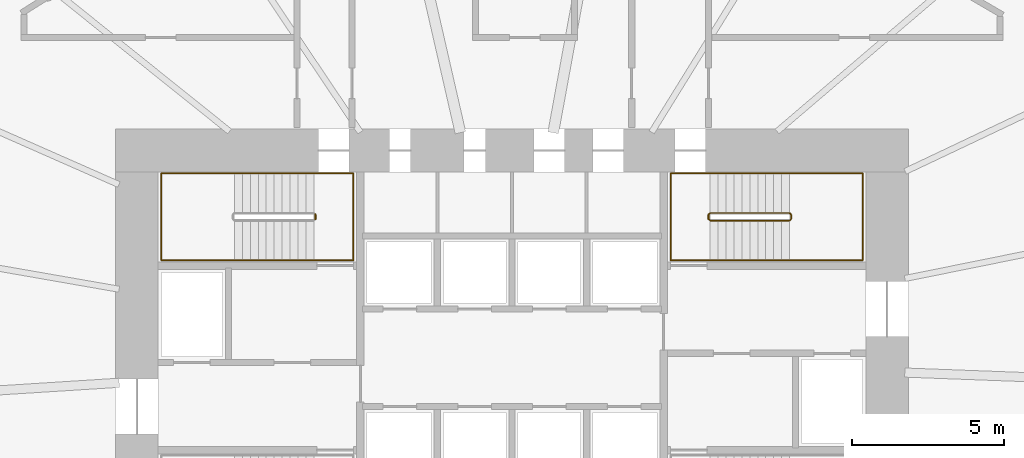
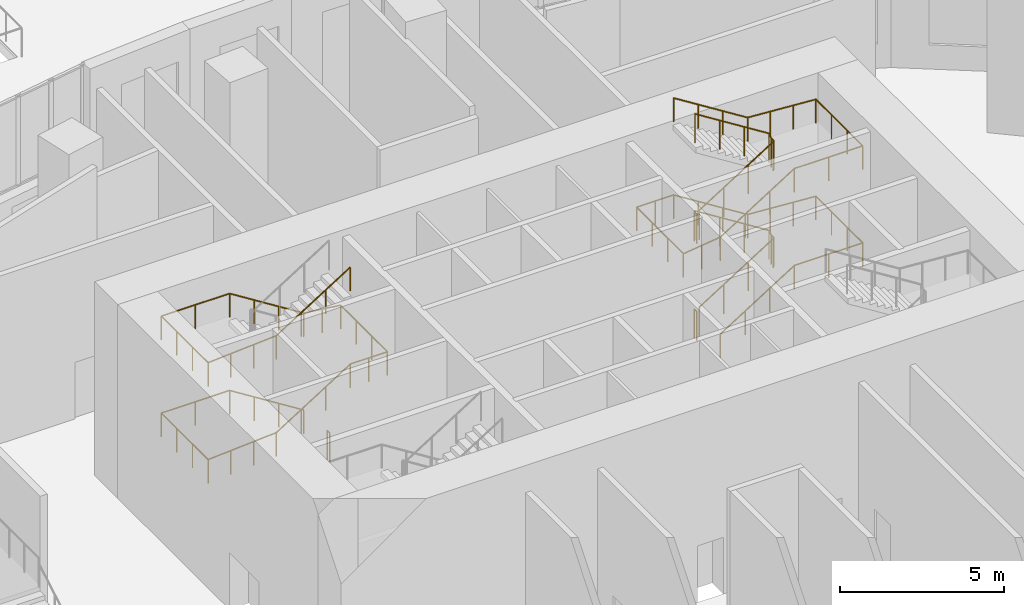
# One storey, part 25 of 27: 5 railings.
"""IFC4 building model written with IfcOpenShell, lengths in metres."""

import ifcopenshell
import ifcopenshell.guid

model = None  # the IFC model being written
_history = None  # IfcOwnerHistory: only IFC2X3 demands one
_inside = {}  # id of a spatial element -> (the spatial element, [elements in it])
_under = {}  # id of a project, library or spatial element -> (it, [spatial elements below it])
_declared = {}  # id of a project -> (the project, [libraries it declares])
_typed = {}  # id of a type object -> (the type object, [elements of that type])
_made_of = {}  # id of a material, layer set ... -> (it, [elements and type objects made of it])


def new_model(schema):
    """Start an empty IFC model of exactly this schema.

    Asked for "IFC4X3", IfcOpenShell would pick the latest addendum, in which some entities
    have other attributes; the version numbers below select the first issue.
    IFC2X3 requires an IfcOwnerHistory on every rooted entity: one is made here for all.
    """
    global model, _history
    if schema == "IFC4X3":
        model = ifcopenshell.file(schema_version=(4, 3, 0, 0))
    else:
        model = ifcopenshell.file(schema=schema)
    _inside.clear()
    _under.clear()
    _declared.clear()
    _typed.clear()
    _made_of.clear()
    _history = None
    if model.schema == "IFC2X3":
        org = make("IfcOrganization", Name="unknown")
        user = make(
            "IfcPersonAndOrganization",
            ThePerson=make("IfcPerson", FamilyName="unknown"),
            TheOrganization=org,
        )
        app = make(
            "IfcApplication",
            ApplicationDeveloper=org,
            Version="unknown",
            ApplicationFullName="unknown",
            ApplicationIdentifier="unknown",
        )
        _history = make(
            "IfcOwnerHistory",
            OwningUser=user,
            OwningApplication=app,
            ChangeAction="ADDED",
            CreationDate=0,
        )
    return model


def make(cls, **values):
    """One entity of the class cls with the attributes given. An attribute that is None is left unset."""
    return model.create_entity(
        cls, **{name: value for name, value in values.items() if value is not None}
    )


def rooted(cls, **values):
    """An entity with a GlobalId (a new one), such as an element, a storey or a relation."""
    return make(cls, GlobalId=ifcopenshell.guid.new(), OwnerHistory=_history, **values)


def si_unit(unit_type, name, prefix=None):
    """IfcSIUnit, for example si_unit("LENGTHUNIT", "METRE", prefix="MILLI")."""
    return make("IfcSIUnit", UnitType=unit_type, Prefix=prefix, Name=name)


def assignment(units):
    """IfcUnitAssignment: the units of a project."""
    return None if units is None else make("IfcUnitAssignment", Units=units)


def point(xyz):
    """IfcCartesianPoint."""
    return None if xyz is None else make("IfcCartesianPoint", Coordinates=xyz)


def direction(xyz):
    """IfcDirection."""
    return None if xyz is None else make("IfcDirection", DirectionRatios=xyz)


def frame(location, z_axis=None, x_axis=None):
    """IfcAxis2Placement3D, a coordinate frame: its origin and axes. An axis left out is left unset."""
    return make(
        "IfcAxis2Placement3D",
        Location=point(location),
        Axis=direction(z_axis),
        RefDirection=direction(x_axis),
    )


def frame_2d(location, x_axis=None):
    """IfcAxis2Placement2D, a coordinate frame in the plane: its origin and x axis."""
    return make(
        "IfcAxis2Placement2D", Location=point(location), RefDirection=direction(x_axis)
    )


def origin():
    """The frame at (0, 0, 0) with its axes left unset."""
    return frame((0.0, 0.0, 0.0))


def origin_2d():
    """The frame at (0, 0) in the plane with its x axis left unset."""
    return frame_2d((0.0, 0.0))


def place(relative_to, where):
    """IfcLocalPlacement: puts the frame where relative to a parent placement (None: the world)."""
    return make(
        "IfcLocalPlacement", PlacementRelTo=relative_to, RelativePlacement=where
    )


def context(
    kind, dimensions, precision=None, world=None, true_north=None, identifier=None
):
    """IfcGeometricRepresentationContext, for example the 3D "Model" context."""
    return make(
        "IfcGeometricRepresentationContext",
        ContextIdentifier=identifier,
        ContextType=kind,
        CoordinateSpaceDimension=dimensions,
        Precision=precision,
        WorldCoordinateSystem=world,
        TrueNorth=true_north,
    )


def subcontext(parent, identifier, kind, view, scale=None):
    """IfcGeometricRepresentationSubContext, for example "Body" below "Model"."""
    return make(
        "IfcGeometricRepresentationSubContext",
        ContextIdentifier=identifier,
        ContextType=kind,
        ParentContext=parent,
        TargetScale=scale,
        TargetView=view,
    )


def project(units=None, contexts=None):
    """IfcProject with its units and contexts."""
    return rooted(
        "IfcProject",
        Name="project",
        RepresentationContexts=contexts,
        UnitsInContext=assignment(units),
    )


def spatial(cls, under=None, at=None, **own):
    """A site, building, storey or space (cls), placed at a placement, below another one or the project."""
    s = rooted(cls, ObjectPlacement=at, **own)
    if under is not None:
        _under.setdefault(under.id(), (under, []))[1].append(s)
    return s


def profile(cls, at=None, kind="AREA", **sizes):
    """A parametric profile (cls). Its sizes go by their IFC names, for example OverallWidth=200.0."""
    return make(cls, ProfileType=kind, Position=at, **sizes)


def circle(**sizes):
    """IfcCircleProfileDef."""
    return profile("IfcCircleProfileDef", **sizes)


def extrude(swept, where, along, depth):
    """IfcExtrudedAreaSolid: the profile swept, set in the frame where, extruded along a direction by depth."""
    return make(
        "IfcExtrudedAreaSolid",
        SweptArea=swept,
        Position=where,
        ExtrudedDirection=direction(along),
        Depth=depth,
    )


def shape(context_of_items, identifier, shape_type, items):
    """IfcShapeRepresentation: the items that make up one representation, for example the "Body"."""
    return make(
        "IfcShapeRepresentation",
        ContextOfItems=context_of_items,
        RepresentationIdentifier=identifier,
        RepresentationType=shape_type,
        Items=items,
    )


def material(Name=None, Category=None):
    """IfcMaterial."""
    return make("IfcMaterial", Name=Name, Category=Category)


def made_of(thing, what):
    """Note that an element or type object is made of a material, layer set ...; save() writes the relation."""
    if what is not None:
        _made_of.setdefault(what.id(), (what, []))[1].append(thing)
    return thing


def type_object(cls, material=None, **own):
    """A type object (cls), such as IfcWallType, which elements share."""
    return made_of(rooted(cls, **own), material)


def element(
    cls,
    number,
    at=None,
    inside=None,
    cuts=None,
    type_object=None,
    material=None,
    context=None,
    identifier="Body",
    shape_type=None,
    held_by="IfcProductDefinitionShape",
    body=None,
    shapes=None,
    **own,
):
    """One element of the class cls, such as IfcWall. Its Tag is "e" and its number.

    at: its placement. inside: the storey or other place that contains it. cuts: it is an
    opening in that element (IfcRelVoidsElement). A single representation is given by context,
    identifier, shape_type and body (its items); several are given by shapes. held_by: the class
    of the entity that holds the representations. save() writes the other relations.
    """
    e = rooted(cls, Tag="e%d" % number, ObjectPlacement=at, **own)
    if body is not None:
        shapes = [shape(context, identifier, shape_type, body)]
    if shapes is not None:
        e.Representation = make(held_by, Representations=shapes)
    if inside is not None:
        _inside.setdefault(inside.id(), (inside, []))[1].append(e)
    if cuts is not None:
        rooted(
            "IfcRelVoidsElement", RelatingBuildingElement=cuts, RelatedOpeningElement=e
        )
    if type_object is not None:
        _typed.setdefault(type_object.id(), (type_object, []))[1].append(e)
    return made_of(e, material)


def aggregate(whole, parts):
    """IfcRelAggregates: a whole, such as a stair, and the parts it consists of."""
    return rooted("IfcRelAggregates", RelatingObject=whole, RelatedObjects=parts)


def save(model, path):
    """Write the relations noted so far, then the file.

    IfcRelAggregates (storeys below a building ...), IfcRelContainedInSpatialStructure (elements
    in a storey), IfcRelDefinesByType, IfcRelAssociatesMaterial and IfcRelDeclares: one each for
    every whole, place, type object, material and project.
    """
    for whole, parts in _under.values():
        aggregate(whole, parts)
    for where, things in _inside.values():
        rooted(
            "IfcRelContainedInSpatialStructure",
            RelatedElements=things,
            RelatingStructure=where,
        )
    for kind, things in _typed.values():
        rooted("IfcRelDefinesByType", RelatedObjects=things, RelatingType=kind)
    for what, things in _made_of.values():
        rooted("IfcRelAssociatesMaterial", RelatedObjects=things, RelatingMaterial=what)
    for by, libraries in _declared.values():
        rooted("IfcRelDeclares", RelatingContext=by, RelatedDefinitions=libraries)
    model.write(path)


model = new_model("IFC4")

# Units and contexts
model_context = context("Model", 3, precision=1e-05, world=origin(), true_north=direction((0.0, 1.0)))
body_context = subcontext(model_context, "Body", "Model", "MODEL_VIEW")
ifc_project = project(units=[si_unit("LENGTHUNIT", "METRE"), si_unit("AREAUNIT", "SQUARE_METRE"), si_unit("VOLUMEUNIT", "CUBIC_METRE"), si_unit("PLANEANGLEUNIT", "RADIAN"), si_unit("MASSUNIT", "GRAM", prefix="KILO")], contexts=[model_context])

# Site, building, storey
site_placement = place(None, origin())
site = spatial("IfcSite", under=ifc_project, at=site_placement, CompositionType="ELEMENT")
building_placement = place(site_placement, origin())
building = spatial("IfcBuilding", under=site, at=building_placement, Name="Rubra Terraces Tower", CompositionType="ELEMENT")
storey_placement = place(building_placement, origin())
storey = spatial("IfcBuildingStorey", under=building, at=storey_placement, Name="L00", CompositionType="ELEMENT", Elevation=0.0)

# Railings
ifc_material = material(Name="Stainless steel", Category="steel")
railing_type_1 = type_object("IfcRailingType", Name="Core stair guard 1100", PredefinedType="GUARDRAIL", material=ifc_material)
railing_1_placement = place(storey_placement, frame((-6.449951171875, 9.199951171875, 0.0)))
element("IfcRailing", 1, at=railing_1_placement, inside=storey, type_object=railing_type_1, Name="L00 stair S2 guard 2", PredefinedType="GUARDRAIL", context=body_context, shape_type="SweptSolid", body=[
    extrude(circle(Radius=0.02392578125, at=origin_2d()), frame((0.0, 0.0, 1.076171875), z_axis=(0.0, -1.0, 0.0), x_axis=(1.0, 0.0, 0.0)), (0.0, 0.0, 1.0), 0.14990234375),
    extrude(circle(Radius=0.02099609375, at=origin_2d()), origin(), (0.0, 0.0, 1.0), 1.052001953125),
    extrude(circle(Radius=0.02099609375, at=origin_2d()), frame((0.0, -0.14990234375, 0.0)), (0.0, 0.0, 1.0), 1.052001953125),
])
railing_2_placement = place(storey_placement, frame((6.5, 9.0, 0.16357421875)))
element("IfcRailing", 2, at=railing_2_placement, inside=storey, type_object=railing_type_1, Name="L00 stair S3 guard 1", PredefinedType="GUARDRAIL", context=body_context, shape_type="SweptSolid", body=[
    extrude(circle(Radius=0.02392578125, at=origin_2d()), frame((0.0, 0.0, 1.076171875), z_axis=(0.846324394277, 0.0, 0.532667832379), x_axis=(0.0, 1.0, 0.0)), (0.0, 0.0, 1.0), 3.072265625),
    extrude(circle(Radius=0.02392578125, at=origin_2d()), frame((2.60009765625, 0.0, 2.71240234375), z_axis=(0.705375805398, 0.708833529934, 0.0), x_axis=(-0.708833529934, 0.705375805398, 0.0)), (0.0, 0.0, 1.0), 0.070556640625),
    extrude(circle(Radius=0.02392578125, at=origin_2d()), frame((2.64990234375, 0.050048828125, 2.71240234375), z_axis=(0.0, 1.0, 0.0), x_axis=(-1.0, 0.0, 0.0)), (0.0, 0.0, 1.0), 0.14990234375),
    extrude(circle(Radius=0.02392578125, at=origin_2d()), frame((2.64990234375, 0.199951171875, 2.71240234375), z_axis=(-0.279546231943, 0.280916556609, 0.91811752648), x_axis=(-0.708833529934, -0.705375805398, 0.0)), (0.0, 0.0, 1.0), 0.17822265625),
    extrude(circle(Radius=0.02392578125, at=origin_2d()), frame((2.60009765625, 0.25, 2.8759765625), z_axis=(-0.846324394277, 0.0, 0.532667832379), x_axis=(0.0, -1.0, 0.0)), (0.0, 0.0, 1.0), 3.072265625),
    extrude(circle(Radius=0.02392578125, at=origin_2d()), frame((0.0, 0.25, 4.5126953125), z_axis=(-0.707106781187, -0.707106781187, 0.0), x_axis=(0.707106781187, -0.707106781187, 0.0)), (0.0, 0.0, 1.0), 0.07080078125),
    extrude(circle(Radius=0.02392578125, at=origin_2d()), frame((-0.050048828125, 0.199951171875, 4.5126953125), z_axis=(0.0, -1.0, 0.0), x_axis=(1.0, 0.0, 0.0)), (0.0, 0.0, 1.0), 0.14990234375),
    extrude(circle(Radius=0.02392578125, at=origin_2d()), frame((-0.050048828125, 0.050048828125, 4.5126953125), z_axis=(0.280808744504, -0.280808744504, 0.917765164963), x_axis=(0.707106781187, 0.707106781187, 0.0)), (0.0, 0.0, 1.0), 0.17822265625),
    extrude(circle(Radius=0.02392578125, at=origin_2d()), frame((0.0, 0.0, 4.67626953125), z_axis=(0.846360218416, 0.0, 0.532610909279), x_axis=(0.0, 1.0, 0.0)), (0.0, 0.0, 1.0), 3.072021484375),
    extrude(circle(Radius=0.02392578125, at=origin_2d()), frame((2.60009765625, 0.0, 6.3125), z_axis=(0.705375805398, 0.708833529934, 0.0), x_axis=(-0.708833529934, 0.705375805398, 0.0)), (0.0, 0.0, 1.0), 0.070556640625),
    extrude(circle(Radius=0.02392578125, at=origin_2d()), frame((2.64990234375, 0.050048828125, 6.3125), z_axis=(0.0, 1.0, 0.0), x_axis=(-1.0, 0.0, 0.0)), (0.0, 0.0, 1.0), 0.14990234375),
    extrude(circle(Radius=0.02392578125, at=origin_2d()), frame((2.64990234375, 0.199951171875, 6.3125), z_axis=(-0.279194930351, 0.280563532951, 0.91833234444), x_axis=(-0.708833529934, -0.705375805398, 0.0)), (0.0, 0.0, 1.0), 0.178466796875),
    extrude(circle(Radius=0.02392578125, at=origin_2d()), frame((2.60009765625, 0.25, 6.47607421875), z_axis=(-0.846360218416, 0.0, 0.532610909279), x_axis=(0.0, -1.0, 0.0)), (0.0, 0.0, 1.0), 3.072021484375),
    extrude(circle(Radius=0.02099609375, at=origin_2d()), origin(), (0.0, 0.0, 1.0), 1.052001953125),
    extrude(circle(Radius=0.02099609375, at=origin_2d()), frame((0.86669921875, 0.0, 0.54541015625)), (0.0, 0.0, 1.0), 1.052001953125),
    extrude(circle(Radius=0.02099609375, at=origin_2d()), frame((1.7333984375, 0.0, 1.091064453125)), (0.0, 0.0, 1.0), 1.052001953125),
    extrude(circle(Radius=0.02099609375, at=origin_2d()), frame((2.60009765625, 0.0, 1.636474609375)), (0.0, 0.0, 1.0), 1.052001953125),
    extrude(circle(Radius=0.02099609375, at=origin_2d()), frame((2.64990234375, 0.050048828125, 1.636474609375)), (0.0, 0.0, 1.0), 1.052001953125),
    extrude(circle(Radius=0.02099609375, at=origin_2d()), frame((2.64990234375, 0.199951171875, 1.636474609375)), (0.0, 0.0, 1.0), 1.052001953125),
    extrude(circle(Radius=0.02099609375, at=origin_2d()), frame((2.60009765625, 0.25, 1.800048828125)), (0.0, 0.0, 1.0), 1.052001953125),
    extrude(circle(Radius=0.02099609375, at=origin_2d()), frame((1.7333984375, 0.25, 2.345458984375)), (0.0, 0.0, 1.0), 1.052001953125),
    extrude(circle(Radius=0.02099609375, at=origin_2d()), frame((0.86669921875, 0.25, 2.89111328125)), (0.0, 0.0, 1.0), 1.052001953125),
    extrude(circle(Radius=0.02099609375, at=origin_2d()), frame((0.0, 0.25, 3.4365234375)), (0.0, 0.0, 1.0), 1.052001953125),
    extrude(circle(Radius=0.02099609375, at=origin_2d()), frame((-0.050048828125, 0.199951171875, 3.4365234375)), (0.0, 0.0, 1.0), 1.052001953125),
    extrude(circle(Radius=0.02099609375, at=origin_2d()), frame((-0.050048828125, 0.050048828125, 3.4365234375)), (0.0, 0.0, 1.0), 1.052001953125),
    extrude(circle(Radius=0.02099609375, at=origin_2d()), frame((0.0, 0.0, 3.60009765625)), (0.0, 0.0, 1.0), 1.052001953125),
    extrude(circle(Radius=0.02099609375, at=origin_2d()), frame((0.86669921875, 0.0, 4.1455078125)), (0.0, 0.0, 1.0), 1.052001953125),
    extrude(circle(Radius=0.02099609375, at=origin_2d()), frame((1.7333984375, 0.0, 4.69091796875)), (0.0, 0.0, 1.0), 1.052001953125),
    extrude(circle(Radius=0.02099609375, at=origin_2d()), frame((2.60009765625, 0.0, 5.236328125)), (0.0, 0.0, 1.0), 1.052001953125),
    extrude(circle(Radius=0.02099609375, at=origin_2d()), frame((2.64990234375, 0.050048828125, 5.236328125)), (0.0, 0.0, 1.0), 1.052001953125),
    extrude(circle(Radius=0.02099609375, at=origin_2d()), frame((2.64990234375, 0.199951171875, 5.236328125)), (0.0, 0.0, 1.0), 1.052001953125),
    extrude(circle(Radius=0.02099609375, at=origin_2d()), frame((2.60009765625, 0.25, 5.400146484375)), (0.0, 0.0, 1.0), 1.052001953125),
    extrude(circle(Radius=0.02099609375, at=origin_2d()), frame((1.7333984375, 0.25, 5.945556640625)), (0.0, 0.0, 1.0), 1.052001953125),
    extrude(circle(Radius=0.02099609375, at=origin_2d()), frame((0.86669921875, 0.25, 6.490966796875)), (0.0, 0.0, 1.0), 1.052001953125),
    extrude(circle(Radius=0.02099609375, at=origin_2d()), frame((0.0, 0.25, 7.036376953125)), (0.0, 0.0, 1.0), 1.052001953125),
])
railing_3_placement = place(storey_placement, frame((6.449951171875, 9.050048828125, 0.0)))
element("IfcRailing", 3, at=railing_3_placement, inside=storey, type_object=railing_type_1, Name="L00 stair S3 guard 2", PredefinedType="GUARDRAIL", context=body_context, shape_type="SweptSolid", body=[
    extrude(circle(Radius=0.02392578125, at=origin_2d()), frame((0.0, 0.0, 1.076171875), z_axis=(0.0, 1.0, 0.0), x_axis=(-1.0, 0.0, 0.0)), (0.0, 0.0, 1.0), 0.14990234375),
    extrude(circle(Radius=0.02099609375, at=origin_2d()), origin(), (0.0, 0.0, 1.0), 1.052001953125),
    extrude(circle(Radius=0.02099609375, at=origin_2d()), frame((0.0, 0.14990234375, 0.0)), (0.0, 0.0, 1.0), 1.052001953125),
])
railing_type_2 = type_object("IfcRailingType", Name="Core stair handrail 900", PredefinedType="HANDRAIL", material=ifc_material)
railing_4_placement = place(storey_placement, frame((-6.5, 10.550048828125, 0.16357421875)))
element("IfcRailing", 4, at=railing_4_placement, inside=storey, type_object=railing_type_2, Name="L00 stair S2 handrail 1", PredefinedType="HANDRAIL", context=body_context, shape_type="SweptSolid", body=[
    extrude(circle(Radius=0.02392578125, at=origin_2d()), frame((0.0, 0.0, 0.8759765625), z_axis=(-0.846324394277, 0.0, 0.532667832379), x_axis=(0.0, -1.0, 0.0)), (0.0, 0.0, 1.0), 3.072265625),
    extrude(circle(Radius=0.02392578125, at=origin_2d()), frame((-2.60009765625, 0.0, 2.51220703125), z_axis=(-1.0, 0.0, 0.0), x_axis=(0.0, -1.0, 0.0)), (0.0, 0.0, 1.0), 2.39990234375),
    extrude(circle(Radius=0.02392578125, at=origin_2d()), frame((-5.0, 0.0, 2.51220703125), z_axis=(0.0, -1.0, 0.0), x_axis=(1.0, 0.0, 0.0)), (0.0, 0.0, 1.0), 2.85009765625),
    extrude(circle(Radius=0.02392578125, at=origin_2d()), frame((-5.0, -2.85009765625, 2.51220703125), z_axis=(0.997685257876, 0.0, 0.068000928055), x_axis=(0.0, 1.0, 0.0)), (0.0, 0.0, 1.0), 2.405517578125),
    extrude(circle(Radius=0.02392578125, at=origin_2d()), frame((-2.60009765625, -2.85009765625, 2.67578125), z_axis=(0.846324394277, 0.0, 0.532667832379), x_axis=(0.0, 1.0, 0.0)), (0.0, 0.0, 1.0), 3.072265625),
    extrude(circle(Radius=0.02392578125, at=origin_2d()), frame((0.0, -2.85009765625, 4.3125), z_axis=(1.0, 0.0, 0.0), x_axis=(0.0, 1.0, 0.0)), (0.0, 0.0, 1.0), 1.300048828125),
    extrude(circle(Radius=0.02392578125, at=origin_2d()), frame((1.300048828125, -2.85009765625, 4.3125), z_axis=(0.0, 1.0, 0.0), x_axis=(-1.0, 0.0, 0.0)), (0.0, 0.0, 1.0), 2.85009765625),
    extrude(circle(Radius=0.02392578125, at=origin_2d()), frame((1.300048828125, 0.0, 4.3125), z_axis=(-0.992177223599, 0.0, 0.12483732203), x_axis=(0.0, -1.0, 0.0)), (0.0, 0.0, 1.0), 1.310302734375),
    extrude(circle(Radius=0.02392578125, at=origin_2d()), frame((0.0, 0.0, 4.47607421875), z_axis=(-0.846360218416, 0.0, 0.532610909279), x_axis=(0.0, -1.0, 0.0)), (0.0, 0.0, 1.0), 3.072021484375),
    extrude(circle(Radius=0.02392578125, at=origin_2d()), frame((-2.60009765625, 0.0, 6.1123046875), z_axis=(-1.0, 0.0, 0.0), x_axis=(0.0, -1.0, 0.0)), (0.0, 0.0, 1.0), 2.39990234375),
    extrude(circle(Radius=0.02392578125, at=origin_2d()), frame((-5.0, 0.0, 6.1123046875), z_axis=(0.0, -1.0, 0.0), x_axis=(1.0, 0.0, 0.0)), (0.0, 0.0, 1.0), 2.85009765625),
    extrude(circle(Radius=0.02392578125, at=origin_2d()), frame((-5.0, -2.85009765625, 6.1123046875), z_axis=(0.997678367104, 0.0, 0.06810195161), x_axis=(0.0, 1.0, 0.0)), (0.0, 0.0, 1.0), 2.405517578125),
    extrude(circle(Radius=0.02392578125, at=origin_2d()), frame((-2.60009765625, -2.85009765625, 6.27587890625), z_axis=(0.846360218416, 0.0, 0.532610909279), x_axis=(0.0, 1.0, 0.0)), (0.0, 0.0, 1.0), 3.072021484375),
    extrude(circle(Radius=0.02099609375, at=origin_2d()), origin(), (0.0, 0.0, 1.0), 0.851806640625),
    extrude(circle(Radius=0.02099609375, at=origin_2d()), frame((-0.86669921875, 0.0, 0.54541015625)), (0.0, 0.0, 1.0), 0.851806640625),
    extrude(circle(Radius=0.02099609375, at=origin_2d()), frame((-1.7333984375, 0.0, 1.091064453125)), (0.0, 0.0, 1.0), 0.851806640625),
    extrude(circle(Radius=0.02099609375, at=origin_2d()), frame((-2.60009765625, 0.0, 1.636474609375)), (0.0, 0.0, 1.0), 0.851806640625),
    extrude(circle(Radius=0.02099609375, at=origin_2d()), frame((-3.800048828125, 0.0, 1.636474609375)), (0.0, 0.0, 1.0), 0.851806640625),
    extrude(circle(Radius=0.02099609375, at=origin_2d()), frame((-5.0, 0.0, 1.636474609375)), (0.0, 0.0, 1.0), 0.851806640625),
    extrude(circle(Radius=0.02099609375, at=origin_2d()), frame((-5.0, -0.949951171875, 1.636474609375)), (0.0, 0.0, 1.0), 0.851806640625),
    extrude(circle(Radius=0.02099609375, at=origin_2d()), frame((-5.0, -1.900146484375, 1.636474609375)), (0.0, 0.0, 1.0), 0.851806640625),
    extrude(circle(Radius=0.02099609375, at=origin_2d()), frame((-5.0, -2.85009765625, 1.636474609375)), (0.0, 0.0, 1.0), 0.851806640625),
    extrude(circle(Radius=0.02099609375, at=origin_2d()), frame((-4.199951171875, -2.85009765625, 1.69091796875)), (0.0, 0.0, 1.0), 0.851806640625),
    extrude(circle(Radius=0.02099609375, at=origin_2d()), frame((-3.400146484375, -2.85009765625, 1.74560546875)), (0.0, 0.0, 1.0), 0.851806640625),
    extrude(circle(Radius=0.02099609375, at=origin_2d()), frame((-2.60009765625, -2.85009765625, 1.800048828125)), (0.0, 0.0, 1.0), 0.851806640625),
    extrude(circle(Radius=0.02099609375, at=origin_2d()), frame((-1.7333984375, -2.85009765625, 2.345458984375)), (0.0, 0.0, 1.0), 0.851806640625),
    extrude(circle(Radius=0.02099609375, at=origin_2d()), frame((-0.86669921875, -2.85009765625, 2.89111328125)), (0.0, 0.0, 1.0), 0.851806640625),
    extrude(circle(Radius=0.02099609375, at=origin_2d()), frame((0.0, -2.85009765625, 3.4365234375)), (0.0, 0.0, 1.0), 0.851806640625),
    extrude(circle(Radius=0.02099609375, at=origin_2d()), frame((0.64990234375, -2.85009765625, 3.4365234375)), (0.0, 0.0, 1.0), 0.851806640625),
    extrude(circle(Radius=0.02099609375, at=origin_2d()), frame((1.300048828125, -2.85009765625, 3.4365234375)), (0.0, 0.0, 1.0), 0.851806640625),
    extrude(circle(Radius=0.02099609375, at=origin_2d()), frame((1.300048828125, -1.900146484375, 3.4365234375)), (0.0, 0.0, 1.0), 0.851806640625),
    extrude(circle(Radius=0.02099609375, at=origin_2d()), frame((1.300048828125, -0.949951171875, 3.4365234375)), (0.0, 0.0, 1.0), 0.851806640625),
    extrude(circle(Radius=0.02099609375, at=origin_2d()), frame((1.300048828125, 0.0, 3.4365234375)), (0.0, 0.0, 1.0), 0.851806640625),
    extrude(circle(Radius=0.02099609375, at=origin_2d()), frame((0.64990234375, 0.0, 3.518310546875)), (0.0, 0.0, 1.0), 0.851806640625),
    extrude(circle(Radius=0.02099609375, at=origin_2d()), frame((0.0, 0.0, 3.60009765625)), (0.0, 0.0, 1.0), 0.851806640625),
    extrude(circle(Radius=0.02099609375, at=origin_2d()), frame((-0.86669921875, 0.0, 4.1455078125)), (0.0, 0.0, 1.0), 0.851806640625),
    extrude(circle(Radius=0.02099609375, at=origin_2d()), frame((-1.7333984375, 0.0, 4.69091796875)), (0.0, 0.0, 1.0), 0.851806640625),
    extrude(circle(Radius=0.02099609375, at=origin_2d()), frame((-2.60009765625, 0.0, 5.236328125)), (0.0, 0.0, 1.0), 0.851806640625),
    extrude(circle(Radius=0.02099609375, at=origin_2d()), frame((-3.800048828125, 0.0, 5.236328125)), (0.0, 0.0, 1.0), 0.851806640625),
    extrude(circle(Radius=0.02099609375, at=origin_2d()), frame((-5.0, 0.0, 5.236328125)), (0.0, 0.0, 1.0), 0.851806640625),
    extrude(circle(Radius=0.02099609375, at=origin_2d()), frame((-5.0, -0.949951171875, 5.236328125)), (0.0, 0.0, 1.0), 0.851806640625),
    extrude(circle(Radius=0.02099609375, at=origin_2d()), frame((-5.0, -1.900146484375, 5.236328125)), (0.0, 0.0, 1.0), 0.851806640625),
    extrude(circle(Radius=0.02099609375, at=origin_2d()), frame((-5.0, -2.85009765625, 5.236328125)), (0.0, 0.0, 1.0), 0.851806640625),
    extrude(circle(Radius=0.02099609375, at=origin_2d()), frame((-4.199951171875, -2.85009765625, 5.291015625)), (0.0, 0.0, 1.0), 0.851806640625),
    extrude(circle(Radius=0.02099609375, at=origin_2d()), frame((-3.400146484375, -2.85009765625, 5.345458984375)), (0.0, 0.0, 1.0), 0.851806640625),
    extrude(circle(Radius=0.02099609375, at=origin_2d()), frame((-2.60009765625, -2.85009765625, 5.400146484375)), (0.0, 0.0, 1.0), 0.851806640625),
    extrude(circle(Radius=0.02099609375, at=origin_2d()), frame((-1.7333984375, -2.85009765625, 5.945556640625)), (0.0, 0.0, 1.0), 0.851806640625),
    extrude(circle(Radius=0.02099609375, at=origin_2d()), frame((-0.86669921875, -2.85009765625, 6.490966796875)), (0.0, 0.0, 1.0), 0.851806640625),
    extrude(circle(Radius=0.02099609375, at=origin_2d()), frame((0.0, -2.85009765625, 7.036376953125)), (0.0, 0.0, 1.0), 0.851806640625),
])
railing_5_placement = place(storey_placement, frame((6.5, 7.699951171875, 0.16357421875)))
element("IfcRailing", 5, at=railing_5_placement, inside=storey, type_object=railing_type_2, Name="L00 stair S3 handrail 1", PredefinedType="HANDRAIL", context=body_context, shape_type="SweptSolid", body=[
    extrude(circle(Radius=0.02392578125, at=origin_2d()), frame((0.0, 0.0, 0.8759765625), z_axis=(0.846324394277, 0.0, 0.532667832379), x_axis=(0.0, 1.0, 0.0)), (0.0, 0.0, 1.0), 3.072265625),
    extrude(circle(Radius=0.02392578125, at=origin_2d()), frame((2.60009765625, 0.0, 2.51220703125), z_axis=(1.0, 0.0, 0.0), x_axis=(0.0, 1.0, 0.0)), (0.0, 0.0, 1.0), 2.39990234375),
    extrude(circle(Radius=0.02392578125, at=origin_2d()), frame((5.0, 0.0, 2.51220703125), z_axis=(0.0, 1.0, 0.0), x_axis=(-1.0, 0.0, 0.0)), (0.0, 0.0, 1.0), 2.85009765625),
    extrude(circle(Radius=0.02392578125, at=origin_2d()), frame((5.0, 2.85009765625, 2.51220703125), z_axis=(-0.997685257876, 0.0, 0.068000928055), x_axis=(0.0, -1.0, 0.0)), (0.0, 0.0, 1.0), 2.405517578125),
    extrude(circle(Radius=0.02392578125, at=origin_2d()), frame((2.60009765625, 2.85009765625, 2.67578125), z_axis=(-0.846324394277, 0.0, 0.532667832379), x_axis=(0.0, -1.0, 0.0)), (0.0, 0.0, 1.0), 3.072265625),
    extrude(circle(Radius=0.02392578125, at=origin_2d()), frame((0.0, 2.85009765625, 4.3125), z_axis=(-1.0, 0.0, 0.0), x_axis=(0.0, -1.0, 0.0)), (0.0, 0.0, 1.0), 1.300048828125),
    extrude(circle(Radius=0.02392578125, at=origin_2d()), frame((-1.300048828125, 2.85009765625, 4.3125), z_axis=(0.0, -1.0, 0.0), x_axis=(1.0, 0.0, 0.0)), (0.0, 0.0, 1.0), 2.85009765625),
    extrude(circle(Radius=0.02392578125, at=origin_2d()), frame((-1.300048828125, 0.0, 4.3125), z_axis=(0.992177223599, 0.0, 0.12483732203), x_axis=(0.0, 1.0, 0.0)), (0.0, 0.0, 1.0), 1.310302734375),
    extrude(circle(Radius=0.02392578125, at=origin_2d()), frame((0.0, 0.0, 4.47607421875), z_axis=(0.846360218416, 0.0, 0.532610909279), x_axis=(0.0, 1.0, 0.0)), (0.0, 0.0, 1.0), 3.072021484375),
    extrude(circle(Radius=0.02392578125, at=origin_2d()), frame((2.60009765625, 0.0, 6.1123046875), z_axis=(1.0, 0.0, 0.0), x_axis=(0.0, 1.0, 0.0)), (0.0, 0.0, 1.0), 2.39990234375),
    extrude(circle(Radius=0.02392578125, at=origin_2d()), frame((5.0, 0.0, 6.1123046875), z_axis=(0.0, 1.0, 0.0), x_axis=(-1.0, 0.0, 0.0)), (0.0, 0.0, 1.0), 2.85009765625),
    extrude(circle(Radius=0.02392578125, at=origin_2d()), frame((5.0, 2.85009765625, 6.1123046875), z_axis=(-0.997678367104, 0.0, 0.06810195161), x_axis=(0.0, -1.0, 0.0)), (0.0, 0.0, 1.0), 2.405517578125),
    extrude(circle(Radius=0.02392578125, at=origin_2d()), frame((2.60009765625, 2.85009765625, 6.27587890625), z_axis=(-0.846360218416, 0.0, 0.532610909279), x_axis=(0.0, -1.0, 0.0)), (0.0, 0.0, 1.0), 3.072021484375),
    extrude(circle(Radius=0.02099609375, at=origin_2d()), origin(), (0.0, 0.0, 1.0), 0.851806640625),
    extrude(circle(Radius=0.02099609375, at=origin_2d()), frame((0.86669921875, 0.0, 0.54541015625)), (0.0, 0.0, 1.0), 0.851806640625),
    extrude(circle(Radius=0.02099609375, at=origin_2d()), frame((1.7333984375, 0.0, 1.091064453125)), (0.0, 0.0, 1.0), 0.851806640625),
    extrude(circle(Radius=0.02099609375, at=origin_2d()), frame((2.60009765625, 0.0, 1.636474609375)), (0.0, 0.0, 1.0), 0.851806640625),
    extrude(circle(Radius=0.02099609375, at=origin_2d()), frame((3.800048828125, 0.0, 1.636474609375)), (0.0, 0.0, 1.0), 0.851806640625),
    extrude(circle(Radius=0.02099609375, at=origin_2d()), frame((5.0, 0.0, 1.636474609375)), (0.0, 0.0, 1.0), 0.851806640625),
    extrude(circle(Radius=0.02099609375, at=origin_2d()), frame((5.0, 0.949951171875, 1.636474609375)), (0.0, 0.0, 1.0), 0.851806640625),
    extrude(circle(Radius=0.02099609375, at=origin_2d()), frame((5.0, 1.900146484375, 1.636474609375)), (0.0, 0.0, 1.0), 0.851806640625),
    extrude(circle(Radius=0.02099609375, at=origin_2d()), frame((5.0, 2.85009765625, 1.636474609375)), (0.0, 0.0, 1.0), 0.851806640625),
    extrude(circle(Radius=0.02099609375, at=origin_2d()), frame((4.199951171875, 2.85009765625, 1.69091796875)), (0.0, 0.0, 1.0), 0.851806640625),
    extrude(circle(Radius=0.02099609375, at=origin_2d()), frame((3.400146484375, 2.85009765625, 1.74560546875)), (0.0, 0.0, 1.0), 0.851806640625),
    extrude(circle(Radius=0.02099609375, at=origin_2d()), frame((2.60009765625, 2.85009765625, 1.800048828125)), (0.0, 0.0, 1.0), 0.851806640625),
    extrude(circle(Radius=0.02099609375, at=origin_2d()), frame((1.7333984375, 2.85009765625, 2.345458984375)), (0.0, 0.0, 1.0), 0.851806640625),
    extrude(circle(Radius=0.02099609375, at=origin_2d()), frame((0.86669921875, 2.85009765625, 2.89111328125)), (0.0, 0.0, 1.0), 0.851806640625),
    extrude(circle(Radius=0.02099609375, at=origin_2d()), frame((0.0, 2.85009765625, 3.4365234375)), (0.0, 0.0, 1.0), 0.851806640625),
    extrude(circle(Radius=0.02099609375, at=origin_2d()), frame((-0.64990234375, 2.85009765625, 3.4365234375)), (0.0, 0.0, 1.0), 0.851806640625),
    extrude(circle(Radius=0.02099609375, at=origin_2d()), frame((-1.300048828125, 2.85009765625, 3.4365234375)), (0.0, 0.0, 1.0), 0.851806640625),
    extrude(circle(Radius=0.02099609375, at=origin_2d()), frame((-1.300048828125, 1.900146484375, 3.4365234375)), (0.0, 0.0, 1.0), 0.851806640625),
    extrude(circle(Radius=0.02099609375, at=origin_2d()), frame((-1.300048828125, 0.949951171875, 3.4365234375)), (0.0, 0.0, 1.0), 0.851806640625),
    extrude(circle(Radius=0.02099609375, at=origin_2d()), frame((-1.300048828125, 0.0, 3.4365234375)), (0.0, 0.0, 1.0), 0.851806640625),
    extrude(circle(Radius=0.02099609375, at=origin_2d()), frame((-0.64990234375, 0.0, 3.518310546875)), (0.0, 0.0, 1.0), 0.851806640625),
    extrude(circle(Radius=0.02099609375, at=origin_2d()), frame((0.0, 0.0, 3.60009765625)), (0.0, 0.0, 1.0), 0.851806640625),
    extrude(circle(Radius=0.02099609375, at=origin_2d()), frame((0.86669921875, 0.0, 4.1455078125)), (0.0, 0.0, 1.0), 0.851806640625),
    extrude(circle(Radius=0.02099609375, at=origin_2d()), frame((1.7333984375, 0.0, 4.69091796875)), (0.0, 0.0, 1.0), 0.851806640625),
    extrude(circle(Radius=0.02099609375, at=origin_2d()), frame((2.60009765625, 0.0, 5.236328125)), (0.0, 0.0, 1.0), 0.851806640625),
    extrude(circle(Radius=0.02099609375, at=origin_2d()), frame((3.800048828125, 0.0, 5.236328125)), (0.0, 0.0, 1.0), 0.851806640625),
    extrude(circle(Radius=0.02099609375, at=origin_2d()), frame((5.0, 0.0, 5.236328125)), (0.0, 0.0, 1.0), 0.851806640625),
    extrude(circle(Radius=0.02099609375, at=origin_2d()), frame((5.0, 0.949951171875, 5.236328125)), (0.0, 0.0, 1.0), 0.851806640625),
    extrude(circle(Radius=0.02099609375, at=origin_2d()), frame((5.0, 1.900146484375, 5.236328125)), (0.0, 0.0, 1.0), 0.851806640625),
    extrude(circle(Radius=0.02099609375, at=origin_2d()), frame((5.0, 2.85009765625, 5.236328125)), (0.0, 0.0, 1.0), 0.851806640625),
    extrude(circle(Radius=0.02099609375, at=origin_2d()), frame((4.199951171875, 2.85009765625, 5.291015625)), (0.0, 0.0, 1.0), 0.851806640625),
    extrude(circle(Radius=0.02099609375, at=origin_2d()), frame((3.400146484375, 2.85009765625, 5.345458984375)), (0.0, 0.0, 1.0), 0.851806640625),
    extrude(circle(Radius=0.02099609375, at=origin_2d()), frame((2.60009765625, 2.85009765625, 5.400146484375)), (0.0, 0.0, 1.0), 0.851806640625),
    extrude(circle(Radius=0.02099609375, at=origin_2d()), frame((1.7333984375, 2.85009765625, 5.945556640625)), (0.0, 0.0, 1.0), 0.851806640625),
    extrude(circle(Radius=0.02099609375, at=origin_2d()), frame((0.86669921875, 2.85009765625, 6.490966796875)), (0.0, 0.0, 1.0), 0.851806640625),
    extrude(circle(Radius=0.02099609375, at=origin_2d()), frame((0.0, 2.85009765625, 7.036376953125)), (0.0, 0.0, 1.0), 0.851806640625),
])

save(model, "model.ifc")
